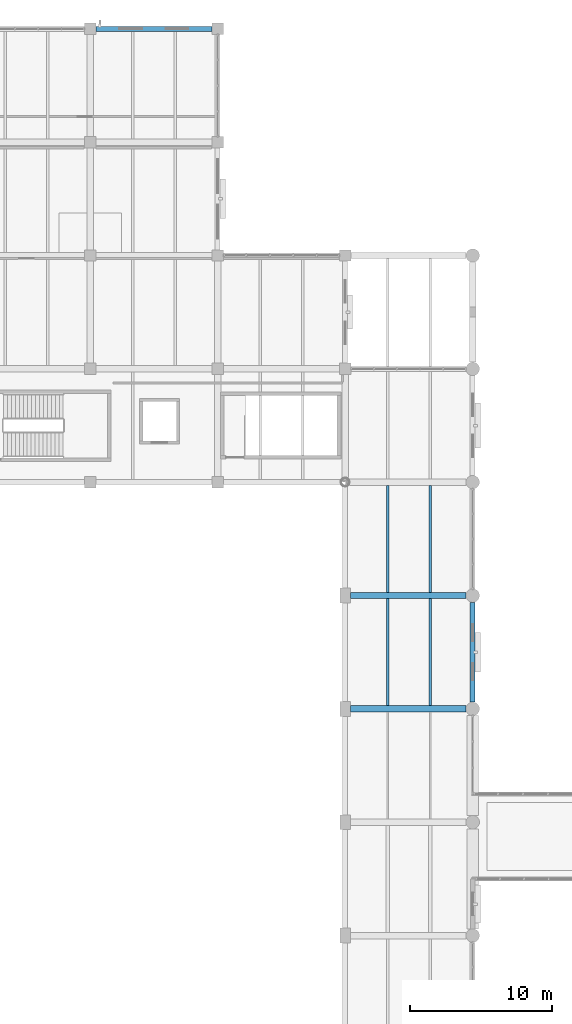
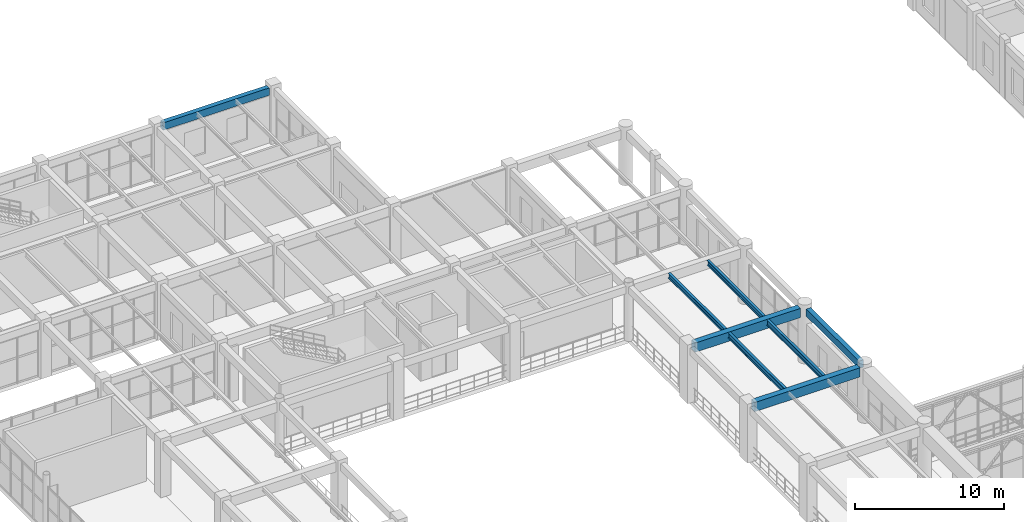
# One storey, part 97 of 178: 8 beams.
"""IFC4 building model written with IfcOpenShell, lengths in metres."""

from ifc_helpers import new_model, si_unit, derived_unit, direction, frame, origin, origin_2d, place, context, subcontext, project, spatial, rectangle, i_section, extrude, material, material_profile, profile_set, type_object, element, save


model = new_model("IFC4")

# Units and contexts
model_context = context("Model", 3, precision=1e-05, world=origin(), true_north=direction((0.0, 1.0)))
body_context = subcontext(model_context, "Body", "Model", "MODEL_VIEW")
ifc_project = project(units=[si_unit("LENGTHUNIT", "METRE"), si_unit("AREAUNIT", "SQUARE_METRE"), si_unit("VOLUMEUNIT", "CUBIC_METRE"), si_unit("PLANEANGLEUNIT", "RADIAN"), si_unit("MASSUNIT", "GRAM", prefix="KILO"), derived_unit("THERMALTRANSMITTANCEUNIT", [(si_unit("MASSUNIT", "GRAM", prefix="KILO"), 1), (si_unit("TIMEUNIT", "SECOND"), -3), (si_unit("THERMODYNAMICTEMPERATUREUNIT", "KELVIN"), -1)])], contexts=[model_context])

# Site, building, storey
site_placement = place(None, origin())
site = spatial("IfcSite", under=ifc_project, at=site_placement, CompositionType="ELEMENT")
building_placement = place(site_placement, origin())
building = spatial("IfcBuilding", under=site, at=building_placement, Name="Zhenchuan Archway Interchange", CompositionType="ELEMENT")
storey_placement = place(building_placement, frame((0.0, 0.0, 5.39990234375)))
storey = spatial("IfcBuildingStorey", under=building, at=storey_placement, Name="L01", CompositionType="ELEMENT", Elevation=5.39990234375)

# Beams
ifc_material_1 = material(Name="Concrete C40", Category="concrete")
ifc_material_profile_1 = material_profile(ifc_material_1, rectangle(XDim=0.449951171875, YDim=0.75, at=origin_2d()), Name="RC 450x750")
ifc_profile_set_1 = profile_set([ifc_material_profile_1], Name="Concrete C40")
beam_type_1 = type_object("IfcBeamType", Name="BM_RC_450x750", PredefinedType="BEAM", material=ifc_profile_set_1)
for number, where, z_axis, x_axis, name in (
    (1, (63.375, 64.0, 4.135009765625), (1.0, 0.0, 0.0), (0.0, 1.0, 0.0), "Beam J:8-9 (L01)"),
    (2, (63.375, 72.0, 4.135009765625), (1.0, 0.0, 0.0), (0.0, 1.0, 0.0), "Beam K:8-9 (L01)"),
):
    element("IfcBeam", number, at=place(storey_placement, frame(where, z_axis=z_axis, x_axis=x_axis)), inside=storey, type_object=beam_type_1, Name=name, PredefinedType="BEAM", context=body_context, shape_type="SweptSolid", body=[
        extrude(rectangle(XDim=0.449951171875, YDim=0.75, at=origin_2d()), origin(), (0.0, 0.0, 1.0), 8.14990234375),
    ])
ifc_material_2 = material(Name="Steel Q355", Category="steel")
ifc_material_profile_2 = material_profile(ifc_material_2, i_section(OverallWidth=0.199951171875, OverallDepth=0.39990234375, WebThickness=0.008056640625, FlangeThickness=0.012939453125, FilletRadius=0.01611328125, at=origin_2d()), Name="HN 400x200")
ifc_profile_set_2 = profile_set([ifc_material_profile_2], Name="Steel Q355")
beam_type_2 = type_object("IfcBeamType", Name="JST_STL_HN400", PredefinedType="JOIST", material=ifc_profile_set_2)
for number, where, z_axis, x_axis, name in (
    (3, (66.0, 72.22509765625, 4.31005859375), (0.0, 1.0, 0.0), (-1.0, 0.0, 0.0), "Secondary joist 8-9/K-L #1 (L01)"),
    (4, (69.0, 72.22509765625, 4.31005859375), (0.0, 1.0, 0.0), (-1.0, 0.0, 0.0), "Secondary joist 8-9/K-L #2 (L01)"),
):
    element("IfcBeam", number, at=place(storey_placement, frame(where, z_axis=z_axis, x_axis=x_axis)), inside=storey, type_object=beam_type_2, Name=name, PredefinedType="JOIST", context=body_context, shape_type="SweptSolid", body=[
        extrude(i_section(OverallWidth=0.199951171875, OverallDepth=0.39990234375, WebThickness=0.008056640625, FlangeThickness=0.012939453125, FilletRadius=0.01611328125, at=origin_2d()), origin(), (0.0, 0.0, 1.0), 7.5498046875),
    ])
ifc_material_profile_3 = material_profile(ifc_material_2, i_section(OverallWidth=0.199951171875, OverallDepth=0.449951171875, WebThickness=0.009033203125, FlangeThickness=0.013916015625, FilletRadius=0.01806640625, at=origin_2d()), Name="HN 450x200")
ifc_profile_set_3 = profile_set([ifc_material_profile_3], Name="Steel Q355")
beam_type_3 = type_object("IfcBeamType", Name="JST_STL_HN450", PredefinedType="JOIST", material=ifc_profile_set_3)
for number, where, z_axis, x_axis, name in (
    (5, (66.0, 64.22509765625, 4.28515625), (0.0, 1.0, 0.0), (-1.0, 0.0, 0.0), "Secondary joist 8-9/J-K #1 (L01)"),
    (6, (69.0, 64.22509765625, 4.28515625), (0.0, 1.0, 0.0), (-1.0, 0.0, 0.0), "Secondary joist 8-9/J-K #2 (L01)"),
):
    element("IfcBeam", number, at=place(storey_placement, frame(where, z_axis=z_axis, x_axis=x_axis)), inside=storey, type_object=beam_type_3, Name=name, PredefinedType="JOIST", context=body_context, shape_type="SweptSolid", body=[
        extrude(i_section(OverallWidth=0.199951171875, OverallDepth=0.449951171875, WebThickness=0.009033203125, FlangeThickness=0.013916015625, FilletRadius=0.01806640625, at=origin_2d()), origin(), (0.0, 0.0, 1.0), 7.5498046875),
    ])
ifc_material_profile_4 = material_profile(ifc_material_1, rectangle(XDim=0.35009765625, YDim=0.60009765625, at=origin_2d()), Name="RC 350x600")
ifc_profile_set_4 = profile_set([ifc_material_profile_4], Name="Concrete C40")
beam_type_4 = type_object("IfcBeamType", Name="SP_RC_350x600", PredefinedType="SPANDREL", material=ifc_profile_set_4)
beam_1_placement = place(storey_placement, frame((45.39990234375, 112.0, 4.210205078125), z_axis=(1.0, 0.0, 0.0), x_axis=(0.0, 1.0, 0.0)))
element("IfcBeam", 7, at=beam_1_placement, inside=storey, type_object=beam_type_4, Name="Beam P:6-7 (L01)", PredefinedType="SPANDREL", context=body_context, shape_type="SweptSolid", body=[
    extrude(rectangle(XDim=0.35009765625, YDim=0.60009765625, at=origin_2d()), origin(), (0.0, 0.0, 1.0), 8.2001953125),
])
beam_2_placement = place(storey_placement, frame((72.0, 64.47509765625, 4.210205078125), z_axis=(0.0, 1.0, 0.0), x_axis=(-1.0, 0.0, 0.0)))
element("IfcBeam", 8, at=beam_2_placement, inside=storey, type_object=beam_type_4, Name="Beam 9:J-K (L01)", PredefinedType="SPANDREL", context=body_context, shape_type="SweptSolid", body=[
    extrude(rectangle(XDim=0.35009765625, YDim=0.60009765625, at=origin_2d()), origin(), (0.0, 0.0, 1.0), 7.0498046875),
])

save(model, "model.ifc")
